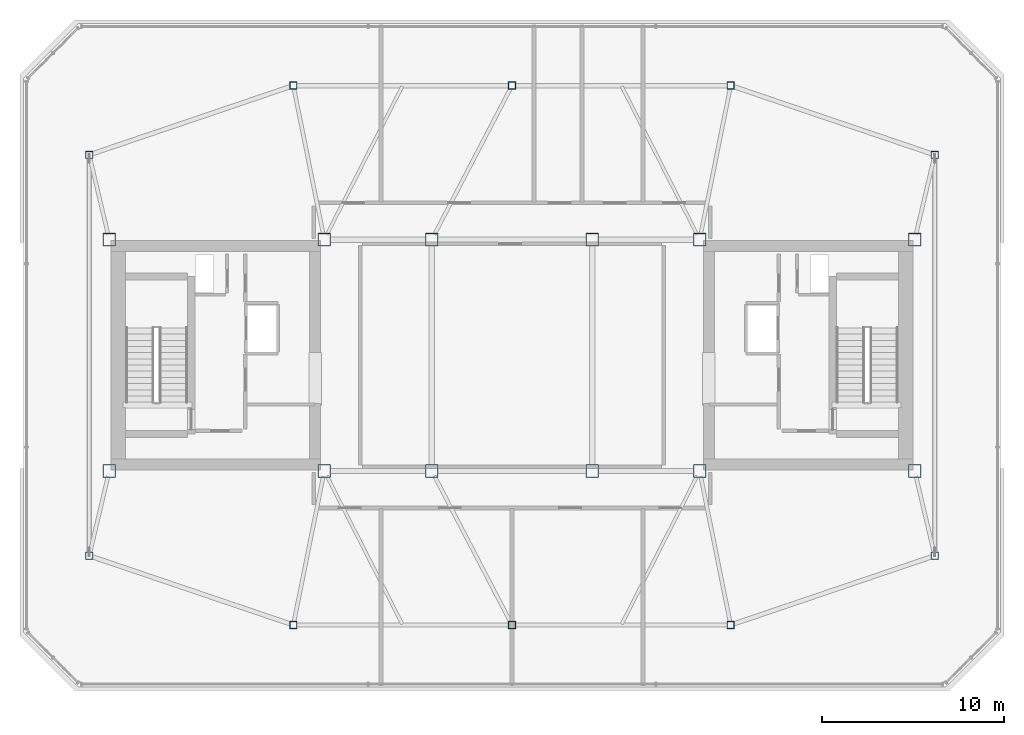
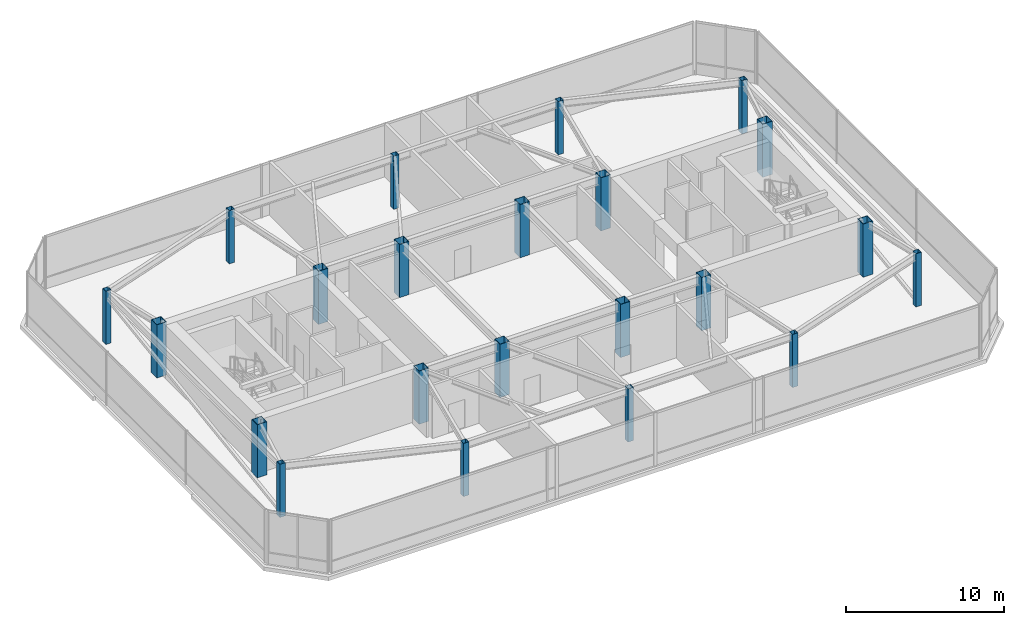
# One storey, part 1 of 22: 22 columns.
"""IFC4 building model written with IfcOpenShell, lengths in metres."""

import ifcopenshell
import ifcopenshell.guid

model = None  # the IFC model being written
_history = None  # IfcOwnerHistory: only IFC2X3 demands one
_inside = {}  # id of a spatial element -> (the spatial element, [elements in it])
_under = {}  # id of a project, library or spatial element -> (it, [spatial elements below it])
_declared = {}  # id of a project -> (the project, [libraries it declares])
_typed = {}  # id of a type object -> (the type object, [elements of that type])
_made_of = {}  # id of a material, layer set ... -> (it, [elements and type objects made of it])


def new_model(schema):
    """Start an empty IFC model of exactly this schema.

    Asked for "IFC4X3", IfcOpenShell would pick the latest addendum, in which some entities
    have other attributes; the version numbers below select the first issue.
    IFC2X3 requires an IfcOwnerHistory on every rooted entity: one is made here for all.
    """
    global model, _history
    if schema == "IFC4X3":
        model = ifcopenshell.file(schema_version=(4, 3, 0, 0))
    else:
        model = ifcopenshell.file(schema=schema)
    _inside.clear()
    _under.clear()
    _declared.clear()
    _typed.clear()
    _made_of.clear()
    _history = None
    if model.schema == "IFC2X3":
        org = make("IfcOrganization", Name="unknown")
        user = make(
            "IfcPersonAndOrganization",
            ThePerson=make("IfcPerson", FamilyName="unknown"),
            TheOrganization=org,
        )
        app = make(
            "IfcApplication",
            ApplicationDeveloper=org,
            Version="unknown",
            ApplicationFullName="unknown",
            ApplicationIdentifier="unknown",
        )
        _history = make(
            "IfcOwnerHistory",
            OwningUser=user,
            OwningApplication=app,
            ChangeAction="ADDED",
            CreationDate=0,
        )
    return model


def make(cls, **values):
    """One entity of the class cls with the attributes given. An attribute that is None is left unset."""
    return model.create_entity(
        cls, **{name: value for name, value in values.items() if value is not None}
    )


def rooted(cls, **values):
    """An entity with a GlobalId (a new one), such as an element, a storey or a relation."""
    return make(cls, GlobalId=ifcopenshell.guid.new(), OwnerHistory=_history, **values)


def si_unit(unit_type, name, prefix=None):
    """IfcSIUnit, for example si_unit("LENGTHUNIT", "METRE", prefix="MILLI")."""
    return make("IfcSIUnit", UnitType=unit_type, Prefix=prefix, Name=name)


def assignment(units):
    """IfcUnitAssignment: the units of a project."""
    return None if units is None else make("IfcUnitAssignment", Units=units)


def point(xyz):
    """IfcCartesianPoint."""
    return None if xyz is None else make("IfcCartesianPoint", Coordinates=xyz)


def direction(xyz):
    """IfcDirection."""
    return None if xyz is None else make("IfcDirection", DirectionRatios=xyz)


def frame(location, z_axis=None, x_axis=None):
    """IfcAxis2Placement3D, a coordinate frame: its origin and axes. An axis left out is left unset."""
    return make(
        "IfcAxis2Placement3D",
        Location=point(location),
        Axis=direction(z_axis),
        RefDirection=direction(x_axis),
    )


def frame_2d(location, x_axis=None):
    """IfcAxis2Placement2D, a coordinate frame in the plane: its origin and x axis."""
    return make(
        "IfcAxis2Placement2D", Location=point(location), RefDirection=direction(x_axis)
    )


def origin():
    """The frame at (0, 0, 0) with its axes left unset."""
    return frame((0.0, 0.0, 0.0))


def origin_2d():
    """The frame at (0, 0) in the plane with its x axis left unset."""
    return frame_2d((0.0, 0.0))


def place(relative_to, where):
    """IfcLocalPlacement: puts the frame where relative to a parent placement (None: the world)."""
    return make(
        "IfcLocalPlacement", PlacementRelTo=relative_to, RelativePlacement=where
    )


def context(
    kind, dimensions, precision=None, world=None, true_north=None, identifier=None
):
    """IfcGeometricRepresentationContext, for example the 3D "Model" context."""
    return make(
        "IfcGeometricRepresentationContext",
        ContextIdentifier=identifier,
        ContextType=kind,
        CoordinateSpaceDimension=dimensions,
        Precision=precision,
        WorldCoordinateSystem=world,
        TrueNorth=true_north,
    )


def subcontext(parent, identifier, kind, view, scale=None):
    """IfcGeometricRepresentationSubContext, for example "Body" below "Model"."""
    return make(
        "IfcGeometricRepresentationSubContext",
        ContextIdentifier=identifier,
        ContextType=kind,
        ParentContext=parent,
        TargetScale=scale,
        TargetView=view,
    )


def project(units=None, contexts=None):
    """IfcProject with its units and contexts."""
    return rooted(
        "IfcProject",
        Name="project",
        RepresentationContexts=contexts,
        UnitsInContext=assignment(units),
    )


def spatial(cls, under=None, at=None, **own):
    """A site, building, storey or space (cls), placed at a placement, below another one or the project."""
    s = rooted(cls, ObjectPlacement=at, **own)
    if under is not None:
        _under.setdefault(under.id(), (under, []))[1].append(s)
    return s


def profile(cls, at=None, kind="AREA", **sizes):
    """A parametric profile (cls). Its sizes go by their IFC names, for example OverallWidth=200.0."""
    return make(cls, ProfileType=kind, Position=at, **sizes)


def hollow_rectangle(**sizes):
    """IfcRectangleHollowProfileDef."""
    return profile("IfcRectangleHollowProfileDef", **sizes)


def extrude(swept, where, along, depth):
    """IfcExtrudedAreaSolid: the profile swept, set in the frame where, extruded along a direction by depth."""
    return make(
        "IfcExtrudedAreaSolid",
        SweptArea=swept,
        Position=where,
        ExtrudedDirection=direction(along),
        Depth=depth,
    )


def shape(context_of_items, identifier, shape_type, items):
    """IfcShapeRepresentation: the items that make up one representation, for example the "Body"."""
    return make(
        "IfcShapeRepresentation",
        ContextOfItems=context_of_items,
        RepresentationIdentifier=identifier,
        RepresentationType=shape_type,
        Items=items,
    )


def material(Name=None, Category=None):
    """IfcMaterial."""
    return make("IfcMaterial", Name=Name, Category=Category)


def material_profile(
    of_material, cross_section, Name=None, Category=None, Priority=None
):
    """IfcMaterialProfile: a cross section and its material."""
    return make(
        "IfcMaterialProfile",
        Name=Name,
        Material=of_material,
        Profile=cross_section,
        Priority=Priority,
        Category=Category,
    )


def profile_set(profiles, Name=None, composite=None):
    """IfcMaterialProfileSet."""
    return make(
        "IfcMaterialProfileSet",
        Name=Name,
        MaterialProfiles=profiles,
        CompositeProfile=composite,
    )


def made_of(thing, what):
    """Note that an element or type object is made of a material, layer set ...; save() writes the relation."""
    if what is not None:
        _made_of.setdefault(what.id(), (what, []))[1].append(thing)
    return thing


def type_object(cls, material=None, **own):
    """A type object (cls), such as IfcWallType, which elements share."""
    return made_of(rooted(cls, **own), material)


def element(
    cls,
    number,
    at=None,
    inside=None,
    cuts=None,
    type_object=None,
    material=None,
    context=None,
    identifier="Body",
    shape_type=None,
    held_by="IfcProductDefinitionShape",
    body=None,
    shapes=None,
    **own,
):
    """One element of the class cls, such as IfcWall. Its Tag is "e" and its number.

    at: its placement. inside: the storey or other place that contains it. cuts: it is an
    opening in that element (IfcRelVoidsElement). A single representation is given by context,
    identifier, shape_type and body (its items); several are given by shapes. held_by: the class
    of the entity that holds the representations. save() writes the other relations.
    """
    e = rooted(cls, Tag="e%d" % number, ObjectPlacement=at, **own)
    if body is not None:
        shapes = [shape(context, identifier, shape_type, body)]
    if shapes is not None:
        e.Representation = make(held_by, Representations=shapes)
    if inside is not None:
        _inside.setdefault(inside.id(), (inside, []))[1].append(e)
    if cuts is not None:
        rooted(
            "IfcRelVoidsElement", RelatingBuildingElement=cuts, RelatedOpeningElement=e
        )
    if type_object is not None:
        _typed.setdefault(type_object.id(), (type_object, []))[1].append(e)
    return made_of(e, material)


def aggregate(whole, parts):
    """IfcRelAggregates: a whole, such as a stair, and the parts it consists of."""
    return rooted("IfcRelAggregates", RelatingObject=whole, RelatedObjects=parts)


def save(model, path):
    """Write the relations noted so far, then the file.

    IfcRelAggregates (storeys below a building ...), IfcRelContainedInSpatialStructure (elements
    in a storey), IfcRelDefinesByType, IfcRelAssociatesMaterial and IfcRelDeclares: one each for
    every whole, place, type object, material and project.
    """
    for whole, parts in _under.values():
        aggregate(whole, parts)
    for where, things in _inside.values():
        rooted(
            "IfcRelContainedInSpatialStructure",
            RelatedElements=things,
            RelatingStructure=where,
        )
    for kind, things in _typed.values():
        rooted("IfcRelDefinesByType", RelatedObjects=things, RelatingType=kind)
    for what, things in _made_of.values():
        rooted("IfcRelAssociatesMaterial", RelatedObjects=things, RelatingMaterial=what)
    for by, libraries in _declared.values():
        rooted("IfcRelDeclares", RelatingContext=by, RelatedDefinitions=libraries)
    model.write(path)


model = new_model("IFC4")

# Units and contexts
model_context = context("Model", 3, precision=1e-05, world=origin(), true_north=direction((0.0, 1.0)))
body_context = subcontext(model_context, "Body", "Model", "MODEL_VIEW")
ifc_project = project(units=[si_unit("LENGTHUNIT", "METRE"), si_unit("AREAUNIT", "SQUARE_METRE"), si_unit("VOLUMEUNIT", "CUBIC_METRE"), si_unit("PLANEANGLEUNIT", "RADIAN"), si_unit("MASSUNIT", "GRAM", prefix="KILO")], contexts=[model_context])

# Site, building, storey
site_placement = place(None, origin())
site = spatial("IfcSite", under=ifc_project, at=site_placement, CompositionType="ELEMENT")
building_placement = place(site_placement, origin())
building = spatial("IfcBuilding", under=site, at=building_placement, Name="Tavrogorsk Clinical Tower", CompositionType="ELEMENT")
storey_placement = place(building_placement, frame((0.0, 0.0, 339.800048828125)))
storey = spatial("IfcBuildingStorey", under=building, at=storey_placement, Name="L79", CompositionType="ELEMENT", Elevation=339.800048828125)

# Columns
ifc_material_1 = material(Name="Structural steel S390", Category="steel")
ifc_material_profile_1 = material_profile(ifc_material_1, hollow_rectangle(XDim=0.39990234375, YDim=0.39990234375, WallThickness=0.02001953125, at=origin_2d()), Name="SHS-400x400x20")
ifc_profile_set_1 = profile_set([ifc_material_profile_1], Name="Structural steel S390")
column_type_1 = type_object("IfcColumnType", Name="CrownCol_SHS400", PredefinedType="COLUMN", material=ifc_profile_set_1)
for number, where, z_axis, x_axis, name in (
    (1, (-23.199951171875, -11.0, 0.0), (0.0, 0.0, 1.0), (1.0, 0.0, 0.0), "L79 Crown Column CRN-01"),
    (2, (23.199951171875, -11.0, 0.0), (0.0, 0.0, 1.0), (1.0, 0.0, 0.0), "L79 Crown Column CRN-02"),
    (3, (23.199951171875, 11.0, 0.0), (0.0, 0.0, 1.0), (1.0, 0.0, 0.0), "L79 Crown Column CRN-03"),
    (4, (-23.199951171875, 11.0, 0.0), (0.0, 0.0, 1.0), (1.0, 0.0, 0.0), "L79 Crown Column CRN-04"),
    (5, (-12.0, -14.800048828125, 0.0), (0.0, 0.0, 1.0), (1.0, 0.0, 0.0), "L79 Crown Column CRN-05"),
    (6, (0.0, -14.800048828125, 0.0), (0.0, 0.0, 1.0), (1.0, 0.0, 0.0), "L79 Crown Column CRN-06"),
    (7, (12.0, -14.800048828125, 0.0), (0.0, 0.0, 1.0), (1.0, 0.0, 0.0), "L79 Crown Column CRN-07"),
    (8, (-12.0, 14.800048828125, 0.0), (0.0, 0.0, 1.0), (1.0, 0.0, 0.0), "L79 Crown Column CRN-08"),
    (9, (0.0, 14.800048828125, 0.0), (0.0, 0.0, 1.0), (1.0, 0.0, 0.0), "L79 Crown Column CRN-09"),
    (10, (12.0, 14.800048828125, 0.0), (0.0, 0.0, 1.0), (1.0, 0.0, 0.0), "L79 Crown Column CRN-10"),
):
    element("IfcColumn", number, at=place(storey_placement, frame(where, z_axis=z_axis, x_axis=x_axis)), inside=storey, type_object=column_type_1, Name=name, PredefinedType="COLUMN", context=body_context, shape_type="SweptSolid", body=[
        extrude(hollow_rectangle(XDim=0.39990234375, YDim=0.39990234375, WallThickness=0.02001953125, at=origin_2d()), origin(), (0.0, 0.0, 1.0), 4.099853515625),
    ])
ifc_material_2 = material(Name="Structural steel S440", Category="steel")
ifc_material_profile_2 = material_profile(ifc_material_2, hollow_rectangle(XDim=0.699951171875, YDim=0.699951171875, WallThickness=0.031982421875, at=origin_2d()), Name="BOX-700x700x32")
ifc_profile_set_2 = profile_set([ifc_material_profile_2], Name="Structural steel S440")
column_type_2 = type_object("IfcColumnType", Name="MegaCol_BOX700", PredefinedType="COLUMN", material=ifc_profile_set_2)
for number, where, z_axis, x_axis, name in (
    (11, (-22.10009765625, -6.35009765625, 0.0), (0.0, 0.0, 1.0), (1.0, 0.0, 0.0), "L79 Mega Column MC-W1"),
    (12, (-22.10009765625, 6.35009765625, 0.0), (0.0, 0.0, 1.0), (1.0, 0.0, 0.0), "L79 Mega Column MC-W2"),
    (13, (-10.300048828125, -6.35009765625, 0.0), (0.0, 0.0, 1.0), (1.0, 0.0, 0.0), "L79 Mega Column MC-W3"),
    (14, (-10.300048828125, 6.35009765625, 0.0), (0.0, 0.0, 1.0), (1.0, 0.0, 0.0), "L79 Mega Column MC-W4"),
    (15, (10.300048828125, -6.35009765625, 0.0), (0.0, 0.0, 1.0), (1.0, 0.0, 0.0), "L79 Mega Column MC-E1"),
    (16, (10.300048828125, 6.35009765625, 0.0), (0.0, 0.0, 1.0), (1.0, 0.0, 0.0), "L79 Mega Column MC-E2"),
    (17, (22.10009765625, -6.35009765625, 0.0), (0.0, 0.0, 1.0), (1.0, 0.0, 0.0), "L79 Mega Column MC-E3"),
    (18, (22.10009765625, 6.35009765625, 0.0), (0.0, 0.0, 1.0), (1.0, 0.0, 0.0), "L79 Mega Column MC-E4"),
    (19, (-4.39990234375, -6.35009765625, 0.0), (0.0, 0.0, 1.0), (1.0, 0.0, 0.0), "L79 Mega Column MC-C1"),
    (20, (4.39990234375, -6.35009765625, 0.0), (0.0, 0.0, 1.0), (1.0, 0.0, 0.0), "L79 Mega Column MC-C2"),
    (21, (-4.39990234375, 6.35009765625, 0.0), (0.0, 0.0, 1.0), (1.0, 0.0, 0.0), "L79 Mega Column MC-C3"),
    (22, (4.39990234375, 6.35009765625, 0.0), (0.0, 0.0, 1.0), (1.0, 0.0, 0.0), "L79 Mega Column MC-C4"),
):
    element("IfcColumn", number, at=place(storey_placement, frame(where, z_axis=z_axis, x_axis=x_axis)), inside=storey, type_object=column_type_2, Name=name, PredefinedType="COLUMN", context=body_context, shape_type="SweptSolid", body=[
        extrude(hollow_rectangle(XDim=0.699951171875, YDim=0.699951171875, WallThickness=0.031982421875, at=origin_2d()), origin(), (0.0, 0.0, 1.0), 4.099853515625),
    ])

save(model, "model.ifc")
